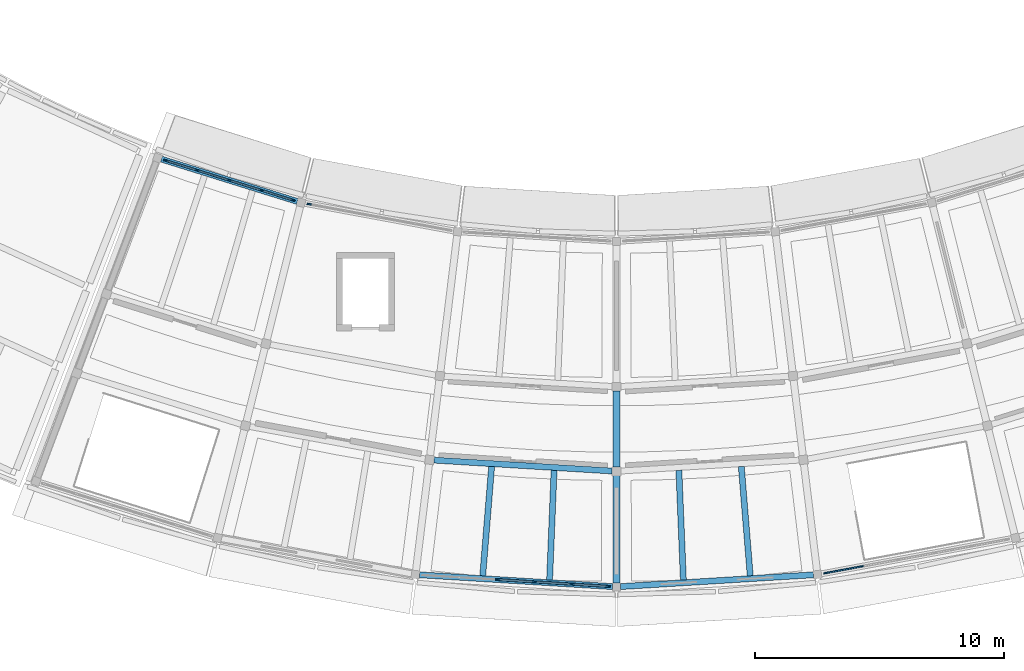
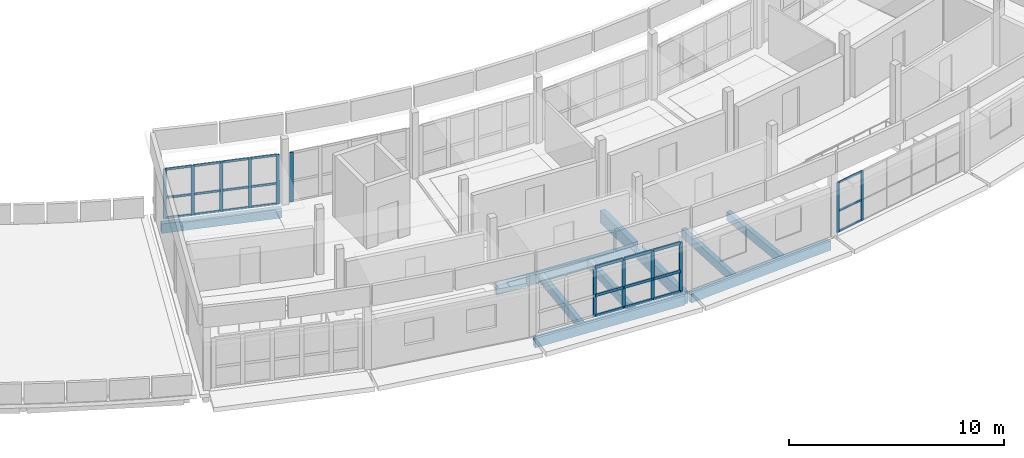
# One storey, part 4 of 12: 36 members, 10 beams, 4 elements without a shape of their own.
"""IFC4 building model written with IfcOpenShell, lengths in metres."""

from ifc_helpers import new_model, si_unit, direction, frame, origin, origin_2d, place, context, subcontext, project, spatial, rectangle, extrude, material, layer, layer_set, material_profile, profile_set, type_object, element, aggregate, save


model = new_model("IFC4")

# Units and contexts
model_context = context("Model", 3, precision=1e-05, world=origin(), true_north=direction((0.0, 1.0)))
body_context = subcontext(model_context, "Body", "Model", "MODEL_VIEW")
ifc_project = project(units=[si_unit("LENGTHUNIT", "METRE"), si_unit("AREAUNIT", "SQUARE_METRE"), si_unit("VOLUMEUNIT", "CUBIC_METRE"), si_unit("PLANEANGLEUNIT", "RADIAN"), si_unit("MASSUNIT", "GRAM", prefix="KILO")], contexts=[model_context])

# Site, building, storey
site_placement = place(None, origin())
site = spatial("IfcSite", under=ifc_project, at=site_placement, CompositionType="ELEMENT")
building_placement = place(site_placement, origin())
building = spatial("IfcBuilding", under=site, at=building_placement, Name="Caldaven Crescent School", CompositionType="ELEMENT")
storey_placement = place(building_placement, frame((0.0, 0.0, 19.3798828125)))
storey = spatial("IfcBuildingStorey", under=building, at=storey_placement, Name="L05", CompositionType="ELEMENT", Elevation=19.3798828125)

# Beams
ifc_material_1 = material(Name="Glulam MLE24h (GL28h)", Category="wood")
ifc_material_profile_1 = material_profile(ifc_material_1, rectangle(XDim=0.239990234375, YDim=0.5400390625, at=origin_2d()), Name="MLE 240x540")
ifc_profile_set_1 = profile_set([ifc_material_profile_1], Name="Glulam MLE24h (GL28h)")
beam_type_1 = type_object("IfcBeamType", Name="BM-GL54", PredefinedType="BEAM", material=ifc_profile_set_1)
beam_1_placement = place(storey_placement, frame((80.6552734375, 34.749267578125, -0.47998046875), z_axis=(0.998135388571, -0.061038889914, 0.0), x_axis=(0.061038889914, 0.998135388571, 0.0)))
element("IfcBeam", 1, at=beam_1_placement, inside=storey, type_object=beam_type_1, Name="BMT-V5-L05-1716", PredefinedType="BEAM", context=body_context, shape_type="SweptSolid", body=[
    extrude(rectangle(XDim=0.239990234375, YDim=0.5400390625, at=origin_2d()), origin(), (0.0, 0.0, 1.0), 7.18359375),
])
ifc_material_profile_2 = material_profile(ifc_material_1, rectangle(XDim=0.280029296875, YDim=0.68994140625, at=origin_2d()), Name="MLE 280x690")
ifc_profile_set_2 = profile_set([ifc_material_profile_2], Name="Glulam MLE24h (GL28h)")
beam_type_2 = type_object("IfcBeamType", Name="BM-GL69", PredefinedType="BEAM", material=ifc_profile_set_2)
beam_2_placement = place(storey_placement, frame((88.0, 37.52490234375, -0.554931640625), z_axis=(0.0, -1.0, 0.0), x_axis=(1.0, 0.0, 0.0)))
element("IfcBeam", 2, at=beam_2_placement, inside=storey, type_object=beam_type_2, Name="BMR-V5-L05-1691", PredefinedType="BEAM", context=body_context, shape_type="SweptSolid", body=[
    extrude(rectangle(XDim=0.280029296875, YDim=0.68994140625, at=origin_2d()), origin(), (0.0, 0.0, 1.0), 3.0498046875),
])
beam_3_placement = place(storey_placement, frame((88.0, 34.125, -0.554931640625), z_axis=(0.0, -1.0, 0.0), x_axis=(1.0, 0.0, 0.0)))
element("IfcBeam", 3, at=beam_3_placement, inside=storey, type_object=beam_type_2, Name="BMR-V5-L05-1692", PredefinedType="BEAM", context=body_context, shape_type="SweptSolid", body=[
    extrude(rectangle(XDim=0.280029296875, YDim=0.68994140625, at=origin_2d()), origin(), (0.0, 0.0, 1.0), 4.31494140625),
])

# Curtain wall, members
ifc_material_2 = material(Name="Anodised aluminium AA 6063-T6 and low-E double glazing", Category="aluminium")
ifc_layer_1 = layer(ifc_material_2, 0.2099609375)
ifc_layer_set_1 = layer_set([ifc_layer_1], Name="Anodised aluminium AA 6063-T6 and low-E double glazing")
curtain_wall_type_1 = type_object("IfcCurtainWallType", Name="CW-SYS3", PredefinedType="NOTDEFINED", material=ifc_layer_set_1)
curtain_wall_1_placement = place(storey_placement, origin())
curtain_wall_1 = element("IfcCurtainWall", 4, at=curtain_wall_1_placement, inside=storey, type_object=curtain_wall_type_1, Name="CW-L05-179", PredefinedType="NOTDEFINED")
ifc_material_3 = material(Name="Anodised aluminium AA 6063-T6", Category="aluminium")
ifc_material_profile_3 = material_profile(ifc_material_3, rectangle(XDim=0.06005859375, YDim=0.14990234375, at=origin_2d()), Name="CWM 60x150")
ifc_profile_set_3 = profile_set([ifc_material_profile_3], Name="Anodised aluminium AA 6063-T6")
member_type_1 = type_object("IfcMemberType", Name="CWM-T1", PredefinedType="MULLION", material=ifc_profile_set_3)
member_1_placement = place(storey_placement, frame((69.856201171875, 46.807373046875, 0.0), z_axis=(0.0, 0.0, 1.0), x_axis=(0.297419758694, 0.954746818344, 0.0)))
member_1 = element("IfcMember", 5, at=member_1_placement, type_object=member_type_1, Name="CW3 mullion 1", PredefinedType="MULLION", context=body_context, shape_type="SweptSolid", body=[
    extrude(rectangle(XDim=0.06005859375, YDim=0.14990234375, at=origin_2d()), origin(), (0.0, 0.0, 1.0), 2.820068359375),
])
member_2_placement = place(storey_placement, frame((71.126953125, 46.411376953125, 0.0), z_axis=(0.0, 0.0, 1.0), x_axis=(0.297419758694, 0.954746818344, 0.0)))
member_2 = element("IfcMember", 6, at=member_2_placement, type_object=member_type_1, Name="CW3 mullion 2", PredefinedType="MULLION", context=body_context, shape_type="SweptSolid", body=[
    extrude(rectangle(XDim=0.06005859375, YDim=0.14990234375, at=origin_2d()), origin(), (0.0, 0.0, 1.0), 2.820068359375),
])
member_3_placement = place(storey_placement, frame((72.42626953125, 46.0068359375, 0.0), z_axis=(0.0, 0.0, 1.0), x_axis=(0.297419758694, 0.954746818344, 0.0)))
member_3 = element("IfcMember", 7, at=member_3_placement, type_object=member_type_1, Name="CW3 mullion 3", PredefinedType="MULLION", context=body_context, shape_type="SweptSolid", body=[
    extrude(rectangle(XDim=0.06005859375, YDim=0.14990234375, at=origin_2d()), origin(), (0.0, 0.0, 1.0), 2.820068359375),
])
member_4_placement = place(storey_placement, frame((73.7255859375, 45.60205078125, 0.0), z_axis=(0.0, 0.0, 1.0), x_axis=(0.297419758694, 0.954746818344, 0.0)))
member_4 = element("IfcMember", 8, at=member_4_placement, type_object=member_type_1, Name="CW3 mullion 4", PredefinedType="MULLION", context=body_context, shape_type="SweptSolid", body=[
    extrude(rectangle(XDim=0.06005859375, YDim=0.14990234375, at=origin_2d()), origin(), (0.0, 0.0, 1.0), 2.820068359375),
])
member_5_placement = place(storey_placement, frame((74.99609375, 45.2060546875, 0.0), z_axis=(0.0, 0.0, 1.0), x_axis=(0.297419758694, 0.954746818344, 0.0)))
member_5 = element("IfcMember", 9, at=member_5_placement, type_object=member_type_1, Name="CW3 mullion 5", PredefinedType="MULLION", context=body_context, shape_type="SweptSolid", body=[
    extrude(rectangle(XDim=0.06005859375, YDim=0.14990234375, at=origin_2d()), origin(), (0.0, 0.0, 1.0), 2.820068359375),
])

ifc_layer_2 = layer(ifc_material_2, 0.169921875)
ifc_layer_set_2 = layer_set([ifc_layer_2], Name="Anodised aluminium AA 6063-T6 and low-E double glazing")
curtain_wall_type_2 = type_object("IfcCurtainWallType", Name="CW-SYS1", PredefinedType="NOTDEFINED", material=ifc_layer_set_2)
curtain_wall_2_placement = place(storey_placement, origin())
curtain_wall_2 = element("IfcCurtainWall", 10, at=curtain_wall_2_placement, inside=storey, type_object=curtain_wall_type_2, Name="CW-L05-186", PredefinedType="NOTDEFINED")
member_6_placement = place(storey_placement, frame((96.410400390625, 30.20458984375, 0.0), z_axis=(0.0, 0.0, 1.0), x_axis=(-0.182236339268, 0.983254756739, 0.0)))
member_6 = element("IfcMember", 11, at=member_6_placement, type_object=member_type_1, Name="CW1 mullion 1", PredefinedType="MULLION", context=body_context, shape_type="SweptSolid", body=[
    extrude(rectangle(XDim=0.06005859375, YDim=0.14990234375, at=origin_2d()), origin(), (0.0, 0.0, 1.0), 2.820068359375),
])
member_7_placement = place(storey_placement, frame((97.856201171875, 30.47265625, 0.0), z_axis=(0.0, 0.0, 1.0), x_axis=(-0.182236339268, 0.983254756739, 0.0)))
member_7 = element("IfcMember", 12, at=member_7_placement, type_object=member_type_1, Name="CW1 mullion 2", PredefinedType="MULLION", context=body_context, shape_type="SweptSolid", body=[
    extrude(rectangle(XDim=0.06005859375, YDim=0.14990234375, at=origin_2d()), origin(), (0.0, 0.0, 1.0), 2.820068359375),
])

# Curtain wall, member
ifc_layer_3 = layer(ifc_material_2, 0.22998046875)
ifc_layer_set_3 = layer_set([ifc_layer_3], Name="Anodised aluminium AA 6063-T6 and low-E double glazing")
curtain_wall_type_3 = type_object("IfcCurtainWallType", Name="CW-SYS4", PredefinedType="NOTDEFINED", material=ifc_layer_set_3)
curtain_wall_3_placement = place(storey_placement, origin())
curtain_wall_3 = element("IfcCurtainWall", 13, at=curtain_wall_3_placement, inside=storey, type_object=curtain_wall_type_3, Name="CW-L05-181", PredefinedType="NOTDEFINED")
ifc_material_profile_4 = material_profile(ifc_material_3, rectangle(XDim=0.06494140625, YDim=0.179931640625, at=origin_2d()), Name="CWM 65x180")
ifc_profile_set_4 = profile_set([ifc_material_profile_4], Name="Anodised aluminium AA 6063-T6")
member_type_2 = type_object("IfcMemberType", Name="CWM-T2", PredefinedType="MULLION", material=ifc_profile_set_4)
member_8_placement = place(storey_placement, frame((75.63818359375, 45.04736328125, 0.0), z_axis=(0.0, 0.0, 1.0), x_axis=(0.182236405836, 0.983254744401, 0.0)))
member_8 = element("IfcMember", 14, at=member_8_placement, type_object=member_type_2, Name="CW4 mullion 1", PredefinedType="MULLION", context=body_context, shape_type="SweptSolid", body=[
    extrude(rectangle(XDim=0.06494140625, YDim=0.179931640625, at=origin_2d()), origin(), (0.0, 0.0, 1.0), 2.820068359375),
])
aggregate(curtain_wall_3, [member_8])

# Curtain wall, members
curtain_wall_4_placement = place(storey_placement, origin())
curtain_wall_4 = element("IfcCurtainWall", 15, at=curtain_wall_4_placement, inside=storey, type_object=curtain_wall_type_1, Name="CW-L05-183", PredefinedType="NOTDEFINED")
member_9_placement = place(storey_placement, frame((83.208251953125, 29.943115234375, 0.0), z_axis=(0.0, 0.0, 1.0), x_axis=(0.061049374755, 0.998134747337, 0.0)))
member_9 = element("IfcMember", 16, at=member_9_placement, type_object=member_type_2, Name="CW3 mullion 3", PredefinedType="MULLION", context=body_context, shape_type="SweptSolid", body=[
    extrude(rectangle(XDim=0.06494140625, YDim=0.179931640625, at=origin_2d()), origin(), (0.0, 0.0, 1.0), 2.820068359375),
])
member_10_placement = place(storey_placement, frame((84.705810546875, 29.8515625, 0.0), z_axis=(0.0, 0.0, 1.0), x_axis=(0.061049374755, 0.998134747337, 0.0)))
member_10 = element("IfcMember", 17, at=member_10_placement, type_object=member_type_2, Name="CW3 mullion 4", PredefinedType="MULLION", context=body_context, shape_type="SweptSolid", body=[
    extrude(rectangle(XDim=0.06494140625, YDim=0.179931640625, at=origin_2d()), origin(), (0.0, 0.0, 1.0), 2.820068359375),
])
member_11_placement = place(storey_placement, frame((86.203125, 29.760009765625, 0.0), z_axis=(0.0, 0.0, 1.0), x_axis=(0.061049374755, 0.998134747337, 0.0)))
member_11 = element("IfcMember", 18, at=member_11_placement, type_object=member_type_2, Name="CW3 mullion 5", PredefinedType="MULLION", context=body_context, shape_type="SweptSolid", body=[
    extrude(rectangle(XDim=0.06494140625, YDim=0.179931640625, at=origin_2d()), origin(), (0.0, 0.0, 1.0), 2.820068359375),
])
member_12_placement = place(storey_placement, frame((87.668212890625, 29.67041015625, 0.0), z_axis=(0.0, 0.0, 1.0), x_axis=(0.061049374755, 0.998134747337, 0.0)))
member_12 = element("IfcMember", 19, at=member_12_placement, type_object=member_type_2, Name="CW3 mullion 6", PredefinedType="MULLION", context=body_context, shape_type="SweptSolid", body=[
    extrude(rectangle(XDim=0.06494140625, YDim=0.179931640625, at=origin_2d()), origin(), (0.0, 0.0, 1.0), 2.820068359375),
])

# Member
ifc_material_profile_5 = material_profile(ifc_material_3, rectangle(XDim=0.06005859375, YDim=0.1201171875, at=origin_2d()), Name="CWT 60x120")
ifc_profile_set_5 = profile_set([ifc_material_profile_5], Name="Anodised aluminium AA 6063-T6")
member_type_3 = type_object("IfcMemberType", Name="CWT-T1", PredefinedType="USERDEFINED", material=ifc_profile_set_5)
member_13_placement = place(storey_placement, frame((69.885009765625, 46.79833984375, 0.030029296875), z_axis=(0.954742858381, -0.29743247027, 0.0), x_axis=(0.29743247027, 0.954742858381, 0.0)))
member_13 = element("IfcMember", 20, at=member_13_placement, type_object=member_type_3, Name="CW3 transom 1.1", ObjectType="TRANSOM", PredefinedType="USERDEFINED", context=body_context, shape_type="SweptSolid", body=[
    extrude(rectangle(XDim=0.06005859375, YDim=0.1201171875, at=origin_2d()), origin(), (0.0, 0.0, 1.0), 1.270751953125),
])

member_14_placement = place(storey_placement, frame((69.885009765625, 46.79833984375, 1.18408203125), z_axis=(0.954742858381, -0.29743247027, 0.0), x_axis=(0.29743247027, 0.954742858381, 0.0)))
member_14 = element("IfcMember", 21, at=member_14_placement, type_object=member_type_3, Name="CW3 transom 1.2", ObjectType="TRANSOM", PredefinedType="USERDEFINED", context=body_context, shape_type="SweptSolid", body=[
    extrude(rectangle(XDim=0.06005859375, YDim=0.1201171875, at=origin_2d()), origin(), (0.0, 0.0, 1.0), 1.270751953125),
])

member_15_placement = place(storey_placement, frame((69.885009765625, 46.79833984375, 2.7900390625), z_axis=(0.954742858381, -0.29743247027, 0.0), x_axis=(0.29743247027, 0.954742858381, 0.0)))
member_15 = element("IfcMember", 22, at=member_15_placement, type_object=member_type_3, Name="CW3 transom 1.3", ObjectType="TRANSOM", PredefinedType="USERDEFINED", context=body_context, shape_type="SweptSolid", body=[
    extrude(rectangle(XDim=0.06005859375, YDim=0.1201171875, at=origin_2d()), origin(), (0.0, 0.0, 1.0), 1.270751953125),
])

member_16_placement = place(storey_placement, frame((71.155517578125, 46.402587890625, 0.030029296875), z_axis=(0.954730104674, -0.297473405919, 0.0), x_axis=(0.297473405919, 0.954730104674, 0.0)))
member_16 = element("IfcMember", 23, at=member_16_placement, type_object=member_type_3, Name="CW3 transom 2.1", ObjectType="TRANSOM", PredefinedType="USERDEFINED", context=body_context, shape_type="SweptSolid", body=[
    extrude(rectangle(XDim=0.06005859375, YDim=0.1201171875, at=origin_2d()), origin(), (0.0, 0.0, 1.0), 1.30078125),
])

member_17_placement = place(storey_placement, frame((71.155517578125, 46.402587890625, 1.18408203125), z_axis=(0.954730104674, -0.297473405919, 0.0), x_axis=(0.297473405919, 0.954730104674, 0.0)))
member_17 = element("IfcMember", 24, at=member_17_placement, type_object=member_type_3, Name="CW3 transom 2.2", ObjectType="TRANSOM", PredefinedType="USERDEFINED", context=body_context, shape_type="SweptSolid", body=[
    extrude(rectangle(XDim=0.06005859375, YDim=0.1201171875, at=origin_2d()), origin(), (0.0, 0.0, 1.0), 1.30078125),
])

member_18_placement = place(storey_placement, frame((71.155517578125, 46.402587890625, 2.7900390625), z_axis=(0.954730104674, -0.297473405919, 0.0), x_axis=(0.297473405919, 0.954730104674, 0.0)))
member_18 = element("IfcMember", 25, at=member_18_placement, type_object=member_type_3, Name="CW3 transom 2.3", ObjectType="TRANSOM", PredefinedType="USERDEFINED", context=body_context, shape_type="SweptSolid", body=[
    extrude(rectangle(XDim=0.06005859375, YDim=0.1201171875, at=origin_2d()), origin(), (0.0, 0.0, 1.0), 1.30078125),
])

member_19_placement = place(storey_placement, frame((72.454833984375, 45.997802734375, 0.030029296875), z_axis=(0.954730104674, -0.297473405919, 0.0), x_axis=(0.297473405919, 0.954730104674, 0.0)))
member_19 = element("IfcMember", 26, at=member_19_placement, type_object=member_type_3, Name="CW3 transom 3.1", ObjectType="TRANSOM", PredefinedType="USERDEFINED", context=body_context, shape_type="SweptSolid", body=[
    extrude(rectangle(XDim=0.06005859375, YDim=0.1201171875, at=origin_2d()), origin(), (0.0, 0.0, 1.0), 1.30078125),
])

member_20_placement = place(storey_placement, frame((72.454833984375, 45.997802734375, 1.18408203125), z_axis=(0.954730104674, -0.297473405919, 0.0), x_axis=(0.297473405919, 0.954730104674, 0.0)))
member_20 = element("IfcMember", 27, at=member_20_placement, type_object=member_type_3, Name="CW3 transom 3.2", ObjectType="TRANSOM", PredefinedType="USERDEFINED", context=body_context, shape_type="SweptSolid", body=[
    extrude(rectangle(XDim=0.06005859375, YDim=0.1201171875, at=origin_2d()), origin(), (0.0, 0.0, 1.0), 1.30078125),
])

member_21_placement = place(storey_placement, frame((72.454833984375, 45.997802734375, 2.7900390625), z_axis=(0.954730104674, -0.297473405919, 0.0), x_axis=(0.297473405919, 0.954730104674, 0.0)))
member_21 = element("IfcMember", 28, at=member_21_placement, type_object=member_type_3, Name="CW3 transom 3.3", ObjectType="TRANSOM", PredefinedType="USERDEFINED", context=body_context, shape_type="SweptSolid", body=[
    extrude(rectangle(XDim=0.06005859375, YDim=0.1201171875, at=origin_2d()), origin(), (0.0, 0.0, 1.0), 1.30078125),
])

member_22_placement = place(storey_placement, frame((73.754150390625, 45.593017578125, 0.030029296875), z_axis=(0.954759851562, -0.297377917549, 0.0), x_axis=(0.297377917549, 0.954759851562, 0.0)))
member_22 = element("IfcMember", 29, at=member_22_placement, type_object=member_type_3, Name="CW3 transom 4.1", ObjectType="TRANSOM", PredefinedType="USERDEFINED", context=body_context, shape_type="SweptSolid", body=[
    extrude(rectangle(XDim=0.06005859375, YDim=0.1201171875, at=origin_2d()), origin(), (0.0, 0.0, 1.0), 1.270751953125),
])

member_23_placement = place(storey_placement, frame((73.754150390625, 45.593017578125, 1.18408203125), z_axis=(0.954759851562, -0.297377917549, 0.0), x_axis=(0.297377917549, 0.954759851562, 0.0)))
member_23 = element("IfcMember", 30, at=member_23_placement, type_object=member_type_3, Name="CW3 transom 4.2", ObjectType="TRANSOM", PredefinedType="USERDEFINED", context=body_context, shape_type="SweptSolid", body=[
    extrude(rectangle(XDim=0.06005859375, YDim=0.1201171875, at=origin_2d()), origin(), (0.0, 0.0, 1.0), 1.270751953125),
])

member_24_placement = place(storey_placement, frame((73.754150390625, 45.593017578125, 2.7900390625), z_axis=(0.954759851562, -0.297377917549, 0.0), x_axis=(0.297377917549, 0.954759851562, 0.0)))
member_24 = element("IfcMember", 31, at=member_24_placement, type_object=member_type_3, Name="CW3 transom 4.3", ObjectType="TRANSOM", PredefinedType="USERDEFINED", context=body_context, shape_type="SweptSolid", body=[
    extrude(rectangle(XDim=0.06005859375, YDim=0.1201171875, at=origin_2d()), origin(), (0.0, 0.0, 1.0), 1.270751953125),
])

aggregate(curtain_wall_1, [member_1, member_2, member_3, member_4, member_5, member_13, member_14, member_15, member_16, member_17, member_18, member_19, member_20, member_21, member_22, member_23, member_24])

member_25_placement = place(storey_placement, frame((96.43994140625, 30.210205078125, 0.030029296875), z_axis=(0.983277412836, 0.182114056039, 0.0), x_axis=(-0.182114056039, 0.983277412836, 0.0)))
member_25 = element("IfcMember", 32, at=member_25_placement, type_object=member_type_3, Name="CW1 transom 1.1", ObjectType="TRANSOM", PredefinedType="USERDEFINED", context=body_context, shape_type="SweptSolid", body=[
    extrude(rectangle(XDim=0.06005859375, YDim=0.1201171875, at=origin_2d()), origin(), (0.0, 0.0, 1.0), 1.410400390625),
])

member_26_placement = place(storey_placement, frame((96.43994140625, 30.210205078125, 1.18408203125), z_axis=(0.983277412836, 0.182114056039, 0.0), x_axis=(-0.182114056039, 0.983277412836, 0.0)))
member_26 = element("IfcMember", 33, at=member_26_placement, type_object=member_type_3, Name="CW1 transom 1.2", ObjectType="TRANSOM", PredefinedType="USERDEFINED", context=body_context, shape_type="SweptSolid", body=[
    extrude(rectangle(XDim=0.06005859375, YDim=0.1201171875, at=origin_2d()), origin(), (0.0, 0.0, 1.0), 1.410400390625),
])

member_27_placement = place(storey_placement, frame((96.43994140625, 30.210205078125, 2.7900390625), z_axis=(0.983277412836, 0.182114056039, 0.0), x_axis=(-0.182114056039, 0.983277412836, 0.0)))
member_27 = element("IfcMember", 34, at=member_27_placement, type_object=member_type_3, Name="CW1 transom 1.3", ObjectType="TRANSOM", PredefinedType="USERDEFINED", context=body_context, shape_type="SweptSolid", body=[
    extrude(rectangle(XDim=0.06005859375, YDim=0.1201171875, at=origin_2d()), origin(), (0.0, 0.0, 1.0), 1.410400390625),
])

aggregate(curtain_wall_2, [member_6, member_7, member_25, member_26, member_27])

ifc_material_profile_6 = material_profile(ifc_material_3, rectangle(XDim=0.070068359375, YDim=0.159912109375, at=origin_2d()), Name="CWT 70x160")
ifc_profile_set_6 = profile_set([ifc_material_profile_6], Name="Anodised aluminium AA 6063-T6")
member_type_4 = type_object("IfcMemberType", Name="CWT-T3", PredefinedType="USERDEFINED", material=ifc_profile_set_6)
member_28_placement = place(storey_placement, frame((83.24072265625, 29.941162109375, 0.03515625), z_axis=(0.998133785172, -0.061065103762, 0.0), x_axis=(0.061065103762, 0.998133785172, 0.0)))
member_28 = element("IfcMember", 35, at=member_28_placement, type_object=member_type_4, Name="CW3 transom 3.1", ObjectType="TRANSOM", PredefinedType="USERDEFINED", context=body_context, shape_type="SweptSolid", body=[
    extrude(rectangle(XDim=0.070068359375, YDim=0.159912109375, at=origin_2d()), origin(), (0.0, 0.0, 1.0), 1.435302734375),
])

member_29_placement = place(storey_placement, frame((83.24072265625, 29.941162109375, 1.18408203125), z_axis=(0.998133785172, -0.061065103762, 0.0), x_axis=(0.061065103762, 0.998133785172, 0.0)))
member_29 = element("IfcMember", 36, at=member_29_placement, type_object=member_type_4, Name="CW3 transom 3.2", ObjectType="TRANSOM", PredefinedType="USERDEFINED", context=body_context, shape_type="SweptSolid", body=[
    extrude(rectangle(XDim=0.070068359375, YDim=0.159912109375, at=origin_2d()), origin(), (0.0, 0.0, 1.0), 1.435302734375),
])

member_30_placement = place(storey_placement, frame((83.24072265625, 29.941162109375, 2.78515625), z_axis=(0.998133785172, -0.061065103762, 0.0), x_axis=(0.061065103762, 0.998133785172, 0.0)))
member_30 = element("IfcMember", 37, at=member_30_placement, type_object=member_type_4, Name="CW3 transom 3.3", ObjectType="TRANSOM", PredefinedType="USERDEFINED", context=body_context, shape_type="SweptSolid", body=[
    extrude(rectangle(XDim=0.070068359375, YDim=0.159912109375, at=origin_2d()), origin(), (0.0, 0.0, 1.0), 1.435302734375),
])

member_31_placement = place(storey_placement, frame((84.738037109375, 29.849609375, 0.03515625), z_axis=(0.998133785172, -0.061065103762, 0.0), x_axis=(0.061065103762, 0.998133785172, 0.0)))
member_31 = element("IfcMember", 38, at=member_31_placement, type_object=member_type_4, Name="CW3 transom 4.1", ObjectType="TRANSOM", PredefinedType="USERDEFINED", context=body_context, shape_type="SweptSolid", body=[
    extrude(rectangle(XDim=0.070068359375, YDim=0.159912109375, at=origin_2d()), origin(), (0.0, 0.0, 1.0), 1.435302734375),
])

member_32_placement = place(storey_placement, frame((84.738037109375, 29.849609375, 1.18408203125), z_axis=(0.998133785172, -0.061065103762, 0.0), x_axis=(0.061065103762, 0.998133785172, 0.0)))
member_32 = element("IfcMember", 39, at=member_32_placement, type_object=member_type_4, Name="CW3 transom 4.2", ObjectType="TRANSOM", PredefinedType="USERDEFINED", context=body_context, shape_type="SweptSolid", body=[
    extrude(rectangle(XDim=0.070068359375, YDim=0.159912109375, at=origin_2d()), origin(), (0.0, 0.0, 1.0), 1.435302734375),
])

member_33_placement = place(storey_placement, frame((84.738037109375, 29.849609375, 2.78515625), z_axis=(0.998133785172, -0.061065103762, 0.0), x_axis=(0.061065103762, 0.998133785172, 0.0)))
member_33 = element("IfcMember", 40, at=member_33_placement, type_object=member_type_4, Name="CW3 transom 4.3", ObjectType="TRANSOM", PredefinedType="USERDEFINED", context=body_context, shape_type="SweptSolid", body=[
    extrude(rectangle(XDim=0.070068359375, YDim=0.159912109375, at=origin_2d()), origin(), (0.0, 0.0, 1.0), 1.435302734375),
])

member_34_placement = place(storey_placement, frame((86.235595703125, 29.7578125, 0.03515625), z_axis=(0.998142930473, -0.060915436036, 0.0), x_axis=(0.060915436036, 0.998142930473, 0.0)))
member_34 = element("IfcMember", 41, at=member_34_placement, type_object=member_type_4, Name="CW3 transom 5.1", ObjectType="TRANSOM", PredefinedType="USERDEFINED", context=body_context, shape_type="SweptSolid", body=[
    extrude(rectangle(XDim=0.070068359375, YDim=0.159912109375, at=origin_2d()), origin(), (0.0, 0.0, 1.0), 1.40283203125),
])

member_35_placement = place(storey_placement, frame((86.235595703125, 29.7578125, 1.18408203125), z_axis=(0.998142930473, -0.060915436036, 0.0), x_axis=(0.060915436036, 0.998142930473, 0.0)))
member_35 = element("IfcMember", 42, at=member_35_placement, type_object=member_type_4, Name="CW3 transom 5.2", ObjectType="TRANSOM", PredefinedType="USERDEFINED", context=body_context, shape_type="SweptSolid", body=[
    extrude(rectangle(XDim=0.070068359375, YDim=0.159912109375, at=origin_2d()), origin(), (0.0, 0.0, 1.0), 1.40283203125),
])

member_36_placement = place(storey_placement, frame((86.235595703125, 29.7578125, 2.78515625), z_axis=(0.998142930473, -0.060915436036, 0.0), x_axis=(0.060915436036, 0.998142930473, 0.0)))
member_36 = element("IfcMember", 43, at=member_36_placement, type_object=member_type_4, Name="CW3 transom 5.3", ObjectType="TRANSOM", PredefinedType="USERDEFINED", context=body_context, shape_type="SweptSolid", body=[
    extrude(rectangle(XDim=0.070068359375, YDim=0.159912109375, at=origin_2d()), origin(), (0.0, 0.0, 1.0), 1.40283203125),
])

aggregate(curtain_wall_4, [member_9, member_10, member_11, member_12, member_28, member_29, member_30, member_31, member_32, member_33, member_34, member_35, member_36])

# Beams
ifc_material_profile_7 = material_profile(ifc_material_1, rectangle(XDim=0.239990234375, YDim=0.47998046875, at=origin_2d()), Name="MLE 240x480")
ifc_profile_set_7 = profile_set([ifc_material_profile_7], Name="Glulam MLE24h (GL28h)")
beam_type_3 = type_object("IfcBeamType", Name="JS-GL48", PredefinedType="JOIST", material=ifc_profile_set_7)
for number, where, z_axis, x_axis, name in (
    (44, (82.977783203125, 34.491943359375, -0.449951171875), (-0.081392296247, -0.996682142968, 0.0), (0.996682142968, -0.081392296247, 0.0), "JSR-V5-L05-1719"),
    (45, (85.48876953125, 34.33837890625, -0.449951171875), (-0.040668508698, -0.999172693982, 0.0), (0.999172693982, -0.040668508698, 0.0), "JSR-V5-L05-1721"),
    (46, (90.51123046875, 34.33837890625, -0.449951171875), (0.040668508698, -0.999172693982, 0.0), (0.999172693982, 0.040668508698, 0.0), "JSR-V5-L05-1727"),
    (47, (93.022216796875, 34.491943359375, -0.449951171875), (0.081392296247, -0.996682142968, 0.0), (0.996682142968, 0.081392296247, 0.0), "JSR-V5-L05-1729"),
):
    element("IfcBeam", number, at=place(storey_placement, frame(where, z_axis=z_axis, x_axis=x_axis)), inside=storey, type_object=beam_type_3, Name=name, PredefinedType="JOIST", context=body_context, shape_type="SweptSolid", body=[
        extrude(rectangle(XDim=0.239990234375, YDim=0.47998046875, at=origin_2d()), origin(), (0.0, 0.0, 1.0), 4.412353515625),
    ])
ifc_material_profile_8 = material_profile(ifc_material_1, rectangle(XDim=0.239990234375, YDim=0.5400390625, at=origin_2d()), Name="MLE 240x540")
ifc_profile_set_8 = profile_set([ifc_material_profile_8], Name="Glulam MLE24h (GL28h)")
beam_type_4 = type_object("IfcBeamType", Name="SP-GL54", PredefinedType="SPANDREL", material=ifc_profile_set_8)
beam_4_placement = place(storey_placement, frame((69.69384765625, 46.85791015625, -0.47998046875), z_axis=(0.954742972951, -0.297432102506, 0.0), x_axis=(0.297432102506, 0.954742972951, 0.0)))
element("IfcBeam", 48, at=beam_4_placement, inside=storey, type_object=beam_type_4, Name="BMT-V5-L05-1702", PredefinedType="SPANDREL", context=body_context, shape_type="SweptSolid", body=[
    extrude(rectangle(XDim=0.239990234375, YDim=0.5400390625, at=origin_2d()), origin(), (0.0, 0.0, 1.0), 5.7236328125),
])
for number, where, z_axis, x_axis, name in (
    (49, (80.07373046875, 30.134765625, -0.47998046875), (0.998134234893, -0.061057752455, 0.0), (0.061057752455, 0.998134234893, 0.0), "BMT-V5-L05-1717"),
    (50, (88.15966796875, 29.65966796875, -0.47998046875), (0.998134234893, 0.061057752455, 0.0), (-0.061057752455, 0.998134234893, 0.0), "BMT-V5-L05-1725"),
):
    element("IfcBeam", number, at=place(storey_placement, frame(where, z_axis=z_axis, x_axis=x_axis)), inside=storey, type_object=beam_type_4, Name=name, PredefinedType="SPANDREL", context=body_context, shape_type="SweptSolid", body=[
        extrude(rectangle(XDim=0.239990234375, YDim=0.5400390625, at=origin_2d()), origin(), (0.0, 0.0, 1.0), 7.781005859375),
    ])

save(model, "model.ifc")
